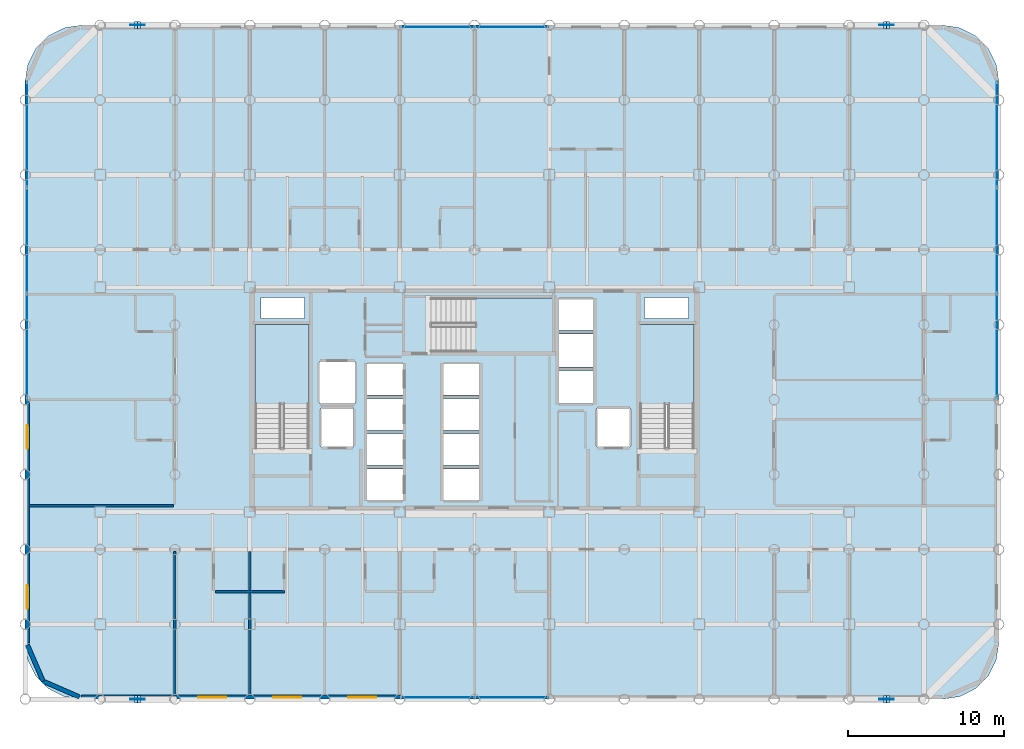
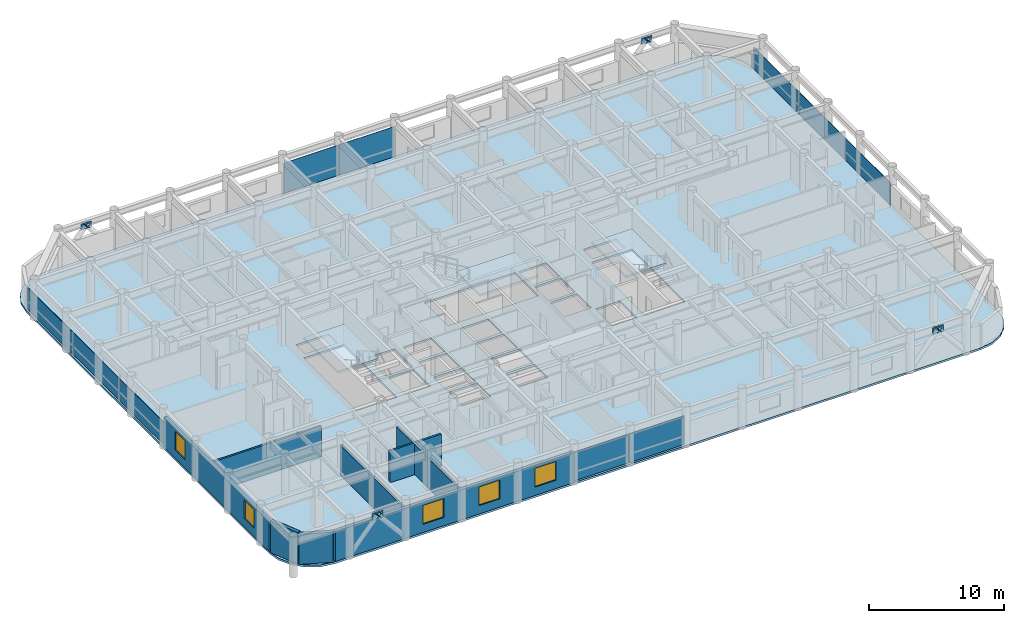
# One storey, part 16 of 22: 22 plates, 8 walls, 5 windows, 4 slabs, 5 openings, 7 elements without a shape of their own.
"""IFC4 building model written with IfcOpenShell, lengths in metres."""

import ifcopenshell
import ifcopenshell.guid

model = None  # the IFC model being written
_history = None  # IfcOwnerHistory: only IFC2X3 demands one
_inside = {}  # id of a spatial element -> (the spatial element, [elements in it])
_under = {}  # id of a project, library or spatial element -> (it, [spatial elements below it])
_declared = {}  # id of a project -> (the project, [libraries it declares])
_typed = {}  # id of a type object -> (the type object, [elements of that type])
_made_of = {}  # id of a material, layer set ... -> (it, [elements and type objects made of it])


def new_model(schema):
    """Start an empty IFC model of exactly this schema.

    Asked for "IFC4X3", IfcOpenShell would pick the latest addendum, in which some entities
    have other attributes; the version numbers below select the first issue.
    IFC2X3 requires an IfcOwnerHistory on every rooted entity: one is made here for all.
    """
    global model, _history
    if schema == "IFC4X3":
        model = ifcopenshell.file(schema_version=(4, 3, 0, 0))
    else:
        model = ifcopenshell.file(schema=schema)
    _inside.clear()
    _under.clear()
    _declared.clear()
    _typed.clear()
    _made_of.clear()
    _history = None
    if model.schema == "IFC2X3":
        org = make("IfcOrganization", Name="unknown")
        user = make(
            "IfcPersonAndOrganization",
            ThePerson=make("IfcPerson", FamilyName="unknown"),
            TheOrganization=org,
        )
        app = make(
            "IfcApplication",
            ApplicationDeveloper=org,
            Version="unknown",
            ApplicationFullName="unknown",
            ApplicationIdentifier="unknown",
        )
        _history = make(
            "IfcOwnerHistory",
            OwningUser=user,
            OwningApplication=app,
            ChangeAction="ADDED",
            CreationDate=0,
        )
    return model


def make(cls, **values):
    """One entity of the class cls with the attributes given. An attribute that is None is left unset."""
    return model.create_entity(
        cls, **{name: value for name, value in values.items() if value is not None}
    )


def rooted(cls, **values):
    """An entity with a GlobalId (a new one), such as an element, a storey or a relation."""
    return make(cls, GlobalId=ifcopenshell.guid.new(), OwnerHistory=_history, **values)


def si_unit(unit_type, name, prefix=None):
    """IfcSIUnit, for example si_unit("LENGTHUNIT", "METRE", prefix="MILLI")."""
    return make("IfcSIUnit", UnitType=unit_type, Prefix=prefix, Name=name)


def assignment(units):
    """IfcUnitAssignment: the units of a project."""
    return None if units is None else make("IfcUnitAssignment", Units=units)


def point(xyz):
    """IfcCartesianPoint."""
    return None if xyz is None else make("IfcCartesianPoint", Coordinates=xyz)


def direction(xyz):
    """IfcDirection."""
    return None if xyz is None else make("IfcDirection", DirectionRatios=xyz)


def frame(location, z_axis=None, x_axis=None):
    """IfcAxis2Placement3D, a coordinate frame: its origin and axes. An axis left out is left unset."""
    return make(
        "IfcAxis2Placement3D",
        Location=point(location),
        Axis=direction(z_axis),
        RefDirection=direction(x_axis),
    )


def frame_2d(location, x_axis=None):
    """IfcAxis2Placement2D, a coordinate frame in the plane: its origin and x axis."""
    return make(
        "IfcAxis2Placement2D", Location=point(location), RefDirection=direction(x_axis)
    )


def origin():
    """The frame at (0, 0, 0) with its axes left unset."""
    return frame((0.0, 0.0, 0.0))


def origin_2d():
    """The frame at (0, 0) in the plane with its x axis left unset."""
    return frame_2d((0.0, 0.0))


def place(relative_to, where):
    """IfcLocalPlacement: puts the frame where relative to a parent placement (None: the world)."""
    return make(
        "IfcLocalPlacement", PlacementRelTo=relative_to, RelativePlacement=where
    )


def context(
    kind, dimensions, precision=None, world=None, true_north=None, identifier=None
):
    """IfcGeometricRepresentationContext, for example the 3D "Model" context."""
    return make(
        "IfcGeometricRepresentationContext",
        ContextIdentifier=identifier,
        ContextType=kind,
        CoordinateSpaceDimension=dimensions,
        Precision=precision,
        WorldCoordinateSystem=world,
        TrueNorth=true_north,
    )


def subcontext(parent, identifier, kind, view, scale=None):
    """IfcGeometricRepresentationSubContext, for example "Body" below "Model"."""
    return make(
        "IfcGeometricRepresentationSubContext",
        ContextIdentifier=identifier,
        ContextType=kind,
        ParentContext=parent,
        TargetScale=scale,
        TargetView=view,
    )


def project(units=None, contexts=None):
    """IfcProject with its units and contexts."""
    return rooted(
        "IfcProject",
        Name="project",
        RepresentationContexts=contexts,
        UnitsInContext=assignment(units),
    )


def spatial(cls, under=None, at=None, **own):
    """A site, building, storey or space (cls), placed at a placement, below another one or the project."""
    s = rooted(cls, ObjectPlacement=at, **own)
    if under is not None:
        _under.setdefault(under.id(), (under, []))[1].append(s)
    return s


def polyline(points):
    """IfcPolyline through the points."""
    return make("IfcPolyline", Points=[point(p) for p in points])


def profile(cls, at=None, kind="AREA", **sizes):
    """A parametric profile (cls). Its sizes go by their IFC names, for example OverallWidth=200.0."""
    return make(cls, ProfileType=kind, Position=at, **sizes)


def rectangle(**sizes):
    """IfcRectangleProfileDef."""
    return profile("IfcRectangleProfileDef", **sizes)


def outline(outer, holes=None, kind="AREA"):
    """IfcArbitraryClosedProfileDef: a profile drawn as a closed curve; with holes, ...WithVoids."""
    if holes is None:
        return make("IfcArbitraryClosedProfileDef", ProfileType=kind, OuterCurve=outer)
    return make(
        "IfcArbitraryProfileDefWithVoids",
        ProfileType=kind,
        OuterCurve=outer,
        InnerCurves=holes,
    )


def extrude(swept, where, along, depth):
    """IfcExtrudedAreaSolid: the profile swept, set in the frame where, extruded along a direction by depth."""
    return make(
        "IfcExtrudedAreaSolid",
        SweptArea=swept,
        Position=where,
        ExtrudedDirection=direction(along),
        Depth=depth,
    )


def shape(context_of_items, identifier, shape_type, items):
    """IfcShapeRepresentation: the items that make up one representation, for example the "Body"."""
    return make(
        "IfcShapeRepresentation",
        ContextOfItems=context_of_items,
        RepresentationIdentifier=identifier,
        RepresentationType=shape_type,
        Items=items,
    )


def material(Name=None, Category=None):
    """IfcMaterial."""
    return make("IfcMaterial", Name=Name, Category=Category)


def layer(
    of_material, thickness, ventilated=None, Name=None, Category=None, Priority=None
):
    """IfcMaterialLayer: one layer of a wall or slab, of a material (None: an air gap)."""
    return make(
        "IfcMaterialLayer",
        Material=of_material,
        LayerThickness=thickness,
        IsVentilated=ventilated,
        Name=Name,
        Category=Category,
        Priority=Priority,
    )


def layer_set(layers, Name=None):
    """IfcMaterialLayerSet."""
    return make("IfcMaterialLayerSet", MaterialLayers=layers, LayerSetName=Name)


def made_of(thing, what):
    """Note that an element or type object is made of a material, layer set ...; save() writes the relation."""
    if what is not None:
        _made_of.setdefault(what.id(), (what, []))[1].append(thing)
    return thing


def type_object(cls, material=None, **own):
    """A type object (cls), such as IfcWallType, which elements share."""
    return made_of(rooted(cls, **own), material)


def element(
    cls,
    number,
    at=None,
    inside=None,
    cuts=None,
    type_object=None,
    material=None,
    context=None,
    identifier="Body",
    shape_type=None,
    held_by="IfcProductDefinitionShape",
    body=None,
    shapes=None,
    **own,
):
    """One element of the class cls, such as IfcWall. Its Tag is "e" and its number.

    at: its placement. inside: the storey or other place that contains it. cuts: it is an
    opening in that element (IfcRelVoidsElement). A single representation is given by context,
    identifier, shape_type and body (its items); several are given by shapes. held_by: the class
    of the entity that holds the representations. save() writes the other relations.
    """
    e = rooted(cls, Tag="e%d" % number, ObjectPlacement=at, **own)
    if body is not None:
        shapes = [shape(context, identifier, shape_type, body)]
    if shapes is not None:
        e.Representation = make(held_by, Representations=shapes)
    if inside is not None:
        _inside.setdefault(inside.id(), (inside, []))[1].append(e)
    if cuts is not None:
        rooted(
            "IfcRelVoidsElement", RelatingBuildingElement=cuts, RelatedOpeningElement=e
        )
    if type_object is not None:
        _typed.setdefault(type_object.id(), (type_object, []))[1].append(e)
    return made_of(e, material)


def fill(opening, filler):
    """IfcRelFillsElement: the door or window that sits in an opening."""
    return rooted(
        "IfcRelFillsElement",
        RelatingOpeningElement=opening,
        RelatedBuildingElement=filler,
    )


def aggregate(whole, parts):
    """IfcRelAggregates: a whole, such as a stair, and the parts it consists of."""
    return rooted("IfcRelAggregates", RelatingObject=whole, RelatedObjects=parts)


def save(model, path):
    """Write the relations noted so far, then the file.

    IfcRelAggregates (storeys below a building ...), IfcRelContainedInSpatialStructure (elements
    in a storey), IfcRelDefinesByType, IfcRelAssociatesMaterial and IfcRelDeclares: one each for
    every whole, place, type object, material and project.
    """
    for whole, parts in _under.values():
        aggregate(whole, parts)
    for where, things in _inside.values():
        rooted(
            "IfcRelContainedInSpatialStructure",
            RelatedElements=things,
            RelatingStructure=where,
        )
    for kind, things in _typed.values():
        rooted("IfcRelDefinesByType", RelatedObjects=things, RelatingType=kind)
    for what, things in _made_of.values():
        rooted("IfcRelAssociatesMaterial", RelatedObjects=things, RelatingMaterial=what)
    for by, libraries in _declared.values():
        rooted("IfcRelDeclares", RelatingContext=by, RelatedDefinitions=libraries)
    model.write(path)


model = new_model("IFC4")

# Units and contexts
model_context = context("Model", 3, precision=1e-05, world=origin(), true_north=direction((0.0, 1.0)))
body_context = subcontext(model_context, "Body", "Model", "MODEL_VIEW")
ifc_project = project(units=[si_unit("LENGTHUNIT", "METRE"), si_unit("AREAUNIT", "SQUARE_METRE"), si_unit("VOLUMEUNIT", "CUBIC_METRE"), si_unit("PLANEANGLEUNIT", "RADIAN"), si_unit("MASSUNIT", "GRAM", prefix="KILO")], contexts=[model_context])

# Site, building, storey
site_placement = place(None, origin())
site = spatial("IfcSite", under=ifc_project, at=site_placement, CompositionType="ELEMENT")
building_placement = place(site_placement, origin())
building = spatial("IfcBuilding", under=site, at=building_placement, Name="Kallvorn Hotel Tower", CompositionType="ELEMENT")
storey_placement = place(building_placement, frame((0.0, 0.0, 106.300048828125)))
storey = spatial("IfcBuildingStorey", under=building, at=storey_placement, Name="L25", CompositionType="ELEMENT", Elevation=106.300048828125)

# Curtain wall, plates
ifc_material_1 = material(Name="Thermally broken black-anodised aluminium AA 6063-T6", Category="aluminium")
ifc_layer_1 = layer(ifc_material_1, 0.199951171875)
ifc_layer_set_1 = layer_set([ifc_layer_1], Name="CW_SYS_3_HOTEL_LOW")
curtain_wall_type = type_object("IfcCurtainWallType", Name="CW_SYS_3_HOTEL_LOW", PredefinedType="USERDEFINED", material=ifc_layer_set_1)
curtain_wall_1_placement = place(storey_placement, origin())
curtain_wall_1 = element("IfcCurtainWall", 1, at=curtain_wall_1_placement, inside=storey, type_object=curtain_wall_type, Name="L25 Dark-Glass Curtain Wall CW-L25-SC", ObjectType="UNITISED CURTAIN WALL", PredefinedType="USERDEFINED")
ifc_material_2 = material(Name="Double-glazed low-e solar-control dark glass", Category="glass")
ifc_layer_2 = layer(ifc_material_2, 0.035888671875)
ifc_layer_set_2 = layer_set([ifc_layer_2], Name="CW_SYS_3_HOTEL_LOW_PANEL")
plate_type_1 = type_object("IfcPlateType", Name="CW_SYS_3_HOTEL_LOW_PANEL", PredefinedType="CURTAIN_PANEL", material=ifc_layer_set_2)
plate_1_placement = place(storey_placement, frame((-2.375, -19.080078125, 0.059814453125), z_axis=(0.0, 0.0, 1.0), x_axis=(1.0, 0.0, 0.0)))
plate_1 = element("IfcPlate", 2, at=plate_1_placement, type_object=plate_type_1, Name="CW-L25-SC Vision Glass Panel 00", PredefinedType="CURTAIN_PANEL", context=body_context, shape_type="SweptSolid", body=[
    extrude(rectangle(XDim=4.68994140625, YDim=0.035888671875, at=origin_2d()), origin(), (0.0, 0.0, 1.0), 2.60009765625),
])
plate_2_placement = place(storey_placement, frame((2.375, -19.080078125, 0.059814453125), z_axis=(0.0, 0.0, 1.0), x_axis=(1.0, 0.0, 0.0)))
plate_2 = element("IfcPlate", 3, at=plate_2_placement, type_object=plate_type_1, Name="CW-L25-SC Vision Glass Panel 01", PredefinedType="CURTAIN_PANEL", context=body_context, shape_type="SweptSolid", body=[
    extrude(rectangle(XDim=4.68994140625, YDim=0.035888671875, at=origin_2d()), origin(), (0.0, 0.0, 1.0), 2.60009765625),
])
aggregate(curtain_wall_1, [plate_1, plate_2])

curtain_wall_2_placement = place(storey_placement, origin())
curtain_wall_2 = element("IfcCurtainWall", 4, at=curtain_wall_2_placement, inside=storey, type_object=curtain_wall_type, Name="L25 Dark-Glass Curtain Wall CW-L25-NC", ObjectType="UNITISED CURTAIN WALL", PredefinedType="USERDEFINED")
plate_3_placement = place(storey_placement, frame((-2.375, 23.8798828125, 0.06005859375), z_axis=(0.0, 0.0, 1.0), x_axis=(1.0, 0.0, 0.0)))
plate_3 = element("IfcPlate", 5, at=plate_3_placement, type_object=plate_type_1, Name="CW-L25-NC Vision Glass Panel 00", PredefinedType="CURTAIN_PANEL", context=body_context, shape_type="SweptSolid", body=[
    extrude(rectangle(XDim=4.68994140625, YDim=0.035888671875, at=origin_2d()), origin(), (0.0, 0.0, 1.0), 2.75),
])
plate_4_placement = place(storey_placement, frame((2.375, 23.8798828125, 0.06005859375), z_axis=(0.0, 0.0, 1.0), x_axis=(1.0, 0.0, 0.0)))
plate_4 = element("IfcPlate", 6, at=plate_4_placement, type_object=plate_type_1, Name="CW-L25-NC Vision Glass Panel 01", PredefinedType="CURTAIN_PANEL", context=body_context, shape_type="SweptSolid", body=[
    extrude(rectangle(XDim=4.68994140625, YDim=0.035888671875, at=origin_2d()), origin(), (0.0, 0.0, 1.0), 2.75),
])
aggregate(curtain_wall_2, [plate_3, plate_4])

curtain_wall_3_placement = place(storey_placement, origin())
curtain_wall_3 = element("IfcCurtainWall", 7, at=curtain_wall_3_placement, inside=storey, type_object=curtain_wall_type, Name="L25 Dark-Glass Curtain Wall CW-L25-WN", ObjectType="UNITISED CURTAIN WALL", PredefinedType="USERDEFINED")
plate_5_placement = place(storey_placement, frame((-28.679931640625, 3.41650390625, 0.06005859375), z_axis=(0.0, 0.0, 1.0), x_axis=(0.0, 1.0, 0.0)))
plate_5 = element("IfcPlate", 8, at=plate_5_placement, type_object=plate_type_1, Name="CW-L25-WN Vision Glass Panel 00", PredefinedType="CURTAIN_PANEL", context=body_context, shape_type="SweptSolid", body=[
    extrude(rectangle(XDim=6.7333984375, YDim=0.035888671875, at=origin_2d()), origin(), (0.0, 0.0, 1.0), 2.0),
])
plate_6_placement = place(storey_placement, frame((-28.679931640625, 10.2099609375, 0.06005859375), z_axis=(0.0, 0.0, 1.0), x_axis=(0.0, 1.0, 0.0)))
plate_6 = element("IfcPlate", 9, at=plate_6_placement, type_object=plate_type_1, Name="CW-L25-WN Vision Glass Panel 01", PredefinedType="CURTAIN_PANEL", context=body_context, shape_type="SweptSolid", body=[
    extrude(rectangle(XDim=6.7333984375, YDim=0.035888671875, at=origin_2d()), origin(), (0.0, 0.0, 1.0), 2.0),
])
plate_7_placement = place(storey_placement, frame((-28.679931640625, 17.00341796875, 0.06005859375), z_axis=(0.0, 0.0, 1.0), x_axis=(0.0, 1.0, 0.0)))
plate_7 = element("IfcPlate", 10, at=plate_7_placement, type_object=plate_type_1, Name="CW-L25-WN Vision Glass Panel 02", PredefinedType="CURTAIN_PANEL", context=body_context, shape_type="SweptSolid", body=[
    extrude(rectangle(XDim=6.7333984375, YDim=0.035888671875, at=origin_2d()), origin(), (0.0, 0.0, 1.0), 2.0),
])
aggregate(curtain_wall_3, [plate_5, plate_6, plate_7])

curtain_wall_4_placement = place(storey_placement, origin())
curtain_wall_4 = element("IfcCurtainWall", 11, at=curtain_wall_4_placement, inside=storey, type_object=curtain_wall_type, Name="L25 Dark-Glass Curtain Wall CW-L25-EN", ObjectType="UNITISED CURTAIN WALL", PredefinedType="USERDEFINED")
plate_8_placement = place(storey_placement, frame((33.47998046875, 3.41650390625, 0.06005859375), z_axis=(0.0, 0.0, 1.0), x_axis=(0.0, 1.0, 0.0)))
plate_8 = element("IfcPlate", 12, at=plate_8_placement, type_object=plate_type_1, Name="CW-L25-EN Vision Glass Panel 00", PredefinedType="CURTAIN_PANEL", context=body_context, shape_type="SweptSolid", body=[
    extrude(rectangle(XDim=6.7333984375, YDim=0.035888671875, at=origin_2d()), origin(), (0.0, 0.0, 1.0), 2.0),
])
plate_9_placement = place(storey_placement, frame((33.47998046875, 10.2099609375, 0.06005859375), z_axis=(0.0, 0.0, 1.0), x_axis=(0.0, 1.0, 0.0)))
plate_9 = element("IfcPlate", 13, at=plate_9_placement, type_object=plate_type_1, Name="CW-L25-EN Vision Glass Panel 01", PredefinedType="CURTAIN_PANEL", context=body_context, shape_type="SweptSolid", body=[
    extrude(rectangle(XDim=6.7333984375, YDim=0.035888671875, at=origin_2d()), origin(), (0.0, 0.0, 1.0), 2.0),
])
plate_10_placement = place(storey_placement, frame((33.47998046875, 17.00341796875, 0.06005859375), z_axis=(0.0, 0.0, 1.0), x_axis=(0.0, 1.0, 0.0)))
plate_10 = element("IfcPlate", 14, at=plate_10_placement, type_object=plate_type_1, Name="CW-L25-EN Vision Glass Panel 02", PredefinedType="CURTAIN_PANEL", context=body_context, shape_type="SweptSolid", body=[
    extrude(rectangle(XDim=6.7333984375, YDim=0.035888671875, at=origin_2d()), origin(), (0.0, 0.0, 1.0), 2.0),
])
aggregate(curtain_wall_4, [plate_8, plate_9, plate_10])

# Plates
ifc_material_3 = material(Name="Structural steel S355JR", Category="steel")
ifc_layer_3 = layer(ifc_material_3, 0.030029296875)
ifc_layer_set_3 = layer_set([ifc_layer_3], Name="PLT_CAP_30")
plate_type_2 = type_object("IfcPlateType", Name="PLT_CAP_30", PredefinedType="SHEET", material=ifc_layer_set_3)
for number, where, z_axis, x_axis, name in (
    (15, (-21.407958984375, -19.443115234375, 2.8603515625), (0.646482084167, 0.0, 0.76292916765), (0.0, 1.0, 0.0), "EXO-L25-S1A End Cap Plate B"),
    (16, (-21.7919921875, -18.956787109375, 2.8603515625), (-0.646482084167, 0.0, 0.76292916765), (0.0, -1.0, 0.0), "EXO-L25-S1B End Cap Plate B"),
    (17, (26.592041015625, -19.443115234375, 2.8603515625), (0.646482084167, 0.0, 0.76292916765), (0.0, 1.0, 0.0), "EXO-L25-S2A End Cap Plate B"),
    (18, (26.2080078125, -18.956787109375, 2.8603515625), (-0.646482084167, 0.0, 0.76292916765), (0.0, -1.0, 0.0), "EXO-L25-S2B End Cap Plate B"),
    (19, (-21.407958984375, 23.7568359375, 2.8603515625), (0.646482084167, 0.0, 0.76292916765), (0.0, 1.0, 0.0), "EXO-L25-N1A End Cap Plate B"),
    (20, (-21.7919921875, 24.2431640625, 2.8603515625), (-0.646482084167, 0.0, 0.76292916765), (0.0, -1.0, 0.0), "EXO-L25-N1B End Cap Plate B"),
    (21, (26.592041015625, 23.7568359375, 2.8603515625), (0.646482084167, 0.0, 0.76292916765), (0.0, 1.0, 0.0), "EXO-L25-N2A End Cap Plate B"),
    (22, (26.2080078125, 24.2431640625, 2.8603515625), (-0.646482084167, 0.0, 0.76292916765), (0.0, -1.0, 0.0), "EXO-L25-N2B End Cap Plate B"),
):
    element("IfcPlate", number, at=place(storey_placement, frame(where, z_axis=z_axis, x_axis=x_axis)), inside=storey, type_object=plate_type_2, Name=name, PredefinedType="SHEET", context=body_context, shape_type="SweptSolid", body=[
        extrude(outline(polyline([(0.0, 0.0), (0.486328125, 0.0), (0.486328125, 0.48640655743043604), (0.0, 0.48640655743043604), (0.0, 0.0)])), origin(), (0.0, 0.0, -1.0), 0.030029296875),
    ])
ifc_material_4 = material(Name="Structural steel S355JR", Category="steel")
ifc_layer_4 = layer(ifc_material_4, 0.044921875)
ifc_layer_set_4 = layer_set([ifc_layer_4], Name="PLT_GUSSET_45")
plate_type_3 = type_object("IfcPlateType", Name="PLT_GUSSET_45", PredefinedType="USERDEFINED", material=ifc_layer_set_4)
for number, where, z_axis, x_axis, name in (
    (23, (-21.60009765625, -19.199951171875, 2.68994140625), (0.0, 0.0, 1.0), (1.0, 0.0, 0.0), "L25 Exoskeleton Node Gusset S1"),
    (24, (26.39990234375, -19.199951171875, 2.68994140625), (0.0, 0.0, 1.0), (1.0, 0.0, 0.0), "L25 Exoskeleton Node Gusset S2"),
    (25, (-21.60009765625, 24.0, 2.68994140625), (0.0, 0.0, 1.0), (1.0, 0.0, 0.0), "L25 Exoskeleton Node Gusset N1"),
    (26, (26.39990234375, 24.0, 2.68994140625), (0.0, 0.0, 1.0), (1.0, 0.0, 0.0), "L25 Exoskeleton Node Gusset N2"),
):
    element("IfcPlate", number, at=place(storey_placement, frame(where, z_axis=z_axis, x_axis=x_axis)), inside=storey, type_object=plate_type_3, Name=name, ObjectType="GUSSET PLATE", PredefinedType="USERDEFINED", context=body_context, shape_type="SweptSolid", body=[
        extrude(rectangle(XDim=0.89990234375, YDim=0.044921875, at=origin_2d()), origin(), (0.0, 0.0, 1.0), 0.56005859375),
    ])

# Stair, slab
ifc_material_5 = material(Name="Precast concrete C40/50", Category="concrete")
stair_type = type_object("IfcStairType", Name="STR_CORE_DOGLEG", PredefinedType="HALF_TURN_STAIR", material=ifc_material_5)
stair_1_placement = place(storey_placement, origin())
stair_1 = element("IfcStair", 27, at=stair_1_placement, inside=storey, type_object=stair_type, Name="L25 Exit stair ST1", PredefinedType="HALF_TURN_STAIR")
ifc_material_6 = material(Name="Precast concrete C40/50", Category="concrete")
ifc_layer_5 = layer(ifc_material_6, 0.179931640625)
ifc_layer_set_5 = layer_set([ifc_layer_5], Name="SLB_LANDING_180")
slab_type_1 = type_object("IfcSlabType", Name="SLB_LANDING_180", PredefinedType="LANDING", material=ifc_layer_set_5)
slab_1_placement = place(storey_placement, frame((0.0, 0.0, 1.64990234375)))
slab_1 = element("IfcSlab", 28, at=slab_1_placement, type_object=slab_type_1, Name="ST1 landing 1", PredefinedType="LANDING", context=body_context, shape_type="SweptSolid", body=[
    extrude(outline(polyline([(-10.60009765625, -0.31005859375), (-10.60009765625, 4.800048828125), (-14.06005859375, 4.800048828125), (-14.06005859375, -0.31005859375), (-10.60009765625, -0.31005859375)])), origin(), (0.0, 0.0, 1.0), 0.199951171875),
])
aggregate(stair_1, [slab_1])

stair_2_placement = place(storey_placement, origin())
stair_2 = element("IfcStair", 29, at=stair_2_placement, inside=storey, type_object=stair_type, Name="L25 Exit stair ST2", PredefinedType="HALF_TURN_STAIR")
slab_2_placement = place(storey_placement, frame((0.0, 0.0, 1.64990234375)))
slab_2 = element("IfcSlab", 30, at=slab_2_placement, type_object=slab_type_1, Name="ST2 landing 1", PredefinedType="LANDING", context=body_context, shape_type="SweptSolid", body=[
    extrude(outline(polyline([(14.06005859375, -0.31005859375), (14.06005859375, 4.800048828125), (10.60009765625, 4.800048828125), (10.60009765625, -0.31005859375), (14.06005859375, -0.31005859375)])), origin(), (0.0, 0.0, 1.0), 0.199951171875),
])
aggregate(stair_2, [slab_2])

stair_3_placement = place(storey_placement, origin())
stair_3 = element("IfcStair", 31, at=stair_3_placement, inside=storey, type_object=stair_type, Name="L25 Exit stair ST3", PredefinedType="HALF_TURN_STAIR")
slab_3_placement = place(storey_placement, frame((0.0, 0.0, 1.64990234375)))
slab_3 = element("IfcSlab", 32, at=slab_3_placement, type_object=slab_type_1, Name="ST3 landing 1", PredefinedType="LANDING", context=body_context, shape_type="SweptSolid", body=[
    extrude(outline(polyline([(0.0400390625, 3.050048828125), (5.050048828125, 3.050048828125), (5.050048828125, 6.510009765625), (0.0400390625, 6.510009765625), (0.0400390625, 3.050048828125)])), origin(), (0.0, 0.0, 1.0), 0.199951171875),
])
aggregate(stair_3, [slab_3])

# Slab
ifc_material_7 = material(Name="Concrete C40/50", Category="concrete")
ifc_layer_6 = layer(ifc_material_7, 0.179931640625)
ifc_layer_set_6 = layer_set([ifc_layer_6], Name="SLB_TOWER_180")
slab_type_2 = type_object("IfcSlabType", Name="SLB_TOWER_180", PredefinedType="FLOOR", material=ifc_layer_set_6)
slab_4_placement = place(storey_placement, frame((0.0, 0.0, -0.179931640625)))
element("IfcSlab", 33, at=slab_4_placement, inside=storey, type_object=slab_type_2, Name="L25 Structural Floor Slab", PredefinedType="FLOOR", context=body_context, shape_type="SweptSolid", body=[
    extrude(outline(polyline([(30.0, -19.199951171875), (31.112548828125, -19.023681640625), (32.115966796875, -18.512451171875), (32.91259765625, -17.716064453125), (33.423828125, -16.71240234375), (33.60009765625, -15.60009765625), (33.60009765625, 20.39990234375), (33.423828125, 21.512451171875), (32.91259765625, 22.51611328125), (32.115966796875, 23.3125), (31.112548828125, 23.82373046875), (30.0, 24.0), (-25.199951171875, 24.0), (-26.3125, 23.82373046875), (-27.31591796875, 23.3125), (-28.112548828125, 22.51611328125), (-28.623779296875, 21.512451171875), (-28.800048828125, 20.39990234375), (-28.800048828125, -15.60009765625), (-28.623779296875, -16.71240234375), (-28.112548828125, -17.716064453125), (-27.31591796875, -18.512451171875), (-26.3125, -19.023681640625), (-25.199951171875, -19.199951171875), (30.0, -19.199951171875)]), holes=[polyline([(-10.60009765625, -3.070068359375), (-10.60009765625, 4.800048828125), (-14.06005859375, 4.800048828125), (-14.06005859375, -3.070068359375), (-10.60009765625, -3.070068359375)]), polyline([(14.06005859375, -3.070068359375), (14.06005859375, 4.800048828125), (10.60009765625, 4.800048828125), (10.60009765625, -3.070068359375), (14.06005859375, -3.070068359375)]), polyline([(-2.719970703125, 3.050048828125), (5.050048828125, 3.050048828125), (5.050048828125, 6.510009765625), (-2.719970703125, 6.510009765625), (-2.719970703125, 3.050048828125)]), polyline([(-6.949951171875, -6.449951171875), (-4.550048828125, -6.449951171875), (-4.550048828125, -4.449951171875), (-6.949951171875, -4.449951171875), (-6.949951171875, -6.449951171875)]), polyline([(-6.949951171875, -4.199951171875), (-4.550048828125, -4.199951171875), (-4.550048828125, -2.199951171875), (-6.949951171875, -2.199951171875), (-6.949951171875, -4.199951171875)]), polyline([(-6.949951171875, -1.949951171875), (-4.550048828125, -1.949951171875), (-4.550048828125, 0.050048828125), (-6.949951171875, 0.050048828125), (-6.949951171875, -1.949951171875)]), polyline([(-6.949951171875, 0.300048828125), (-4.550048828125, 0.300048828125), (-4.550048828125, 2.300048828125), (-6.949951171875, 2.300048828125), (-6.949951171875, 0.300048828125)]), polyline([(-2.050048828125, -6.449951171875), (0.35009765625, -6.449951171875), (0.35009765625, -4.449951171875), (-2.050048828125, -4.449951171875), (-2.050048828125, -6.449951171875)]), polyline([(-2.050048828125, -4.199951171875), (0.35009765625, -4.199951171875), (0.35009765625, -2.199951171875), (-2.050048828125, -2.199951171875), (-2.050048828125, -4.199951171875)]), polyline([(-2.050048828125, -1.949951171875), (0.35009765625, -1.949951171875), (0.35009765625, 0.050048828125), (-2.050048828125, 0.050048828125), (-2.050048828125, -1.949951171875)]), polyline([(-2.050048828125, 0.300048828125), (0.35009765625, 0.300048828125), (0.35009765625, 2.300048828125), (-2.050048828125, 2.300048828125), (-2.050048828125, 0.300048828125)]), polyline([(5.35009765625, -0.25), (7.64990234375, -0.25), (7.64990234375, 1.85009765625), (5.35009765625, 1.85009765625), (5.35009765625, -0.25)]), polyline([(5.35009765625, 2.10009765625), (7.64990234375, 2.10009765625), (7.64990234375, 4.199951171875), (5.35009765625, 4.199951171875), (5.35009765625, 2.10009765625)]), polyline([(5.35009765625, 4.449951171875), (7.64990234375, 4.449951171875), (7.64990234375, 6.449951171875), (5.35009765625, 6.449951171875), (5.35009765625, 4.449951171875)]), polyline([(-9.85009765625, -3.050048828125), (-7.75, -3.050048828125), (-7.75, -0.550048828125), (-9.85009765625, -0.550048828125), (-9.85009765625, -3.050048828125)]), polyline([(7.85009765625, -3.050048828125), (9.949951171875, -3.050048828125), (9.949951171875, -0.550048828125), (7.85009765625, -0.550048828125), (7.85009765625, -3.050048828125)]), polyline([(-9.949951171875, -0.25), (-7.64990234375, -0.25), (-7.64990234375, 2.449951171875), (-9.949951171875, 2.449951171875), (-9.949951171875, -0.25)]), polyline([(-13.699951171875, 5.199951171875), (-10.89990234375, 5.199951171875), (-10.89990234375, 6.550048828125), (-13.699951171875, 6.550048828125), (-13.699951171875, 5.199951171875)]), polyline([(10.89990234375, 5.199951171875), (13.699951171875, 5.199951171875), (13.699951171875, 6.550048828125), (10.89990234375, 6.550048828125), (10.89990234375, 5.199951171875)])]), origin(), (0.0, 0.0, 1.0), 0.179931640625),
])

# Walls
ifc_material_8 = material(Name="Fire-rated double-layer acoustic gypsum drywall EI 60")
ifc_layer_7 = layer(ifc_material_8, 0.159912109375)
ifc_layer_set_7 = layer_set([ifc_layer_7], Name="WL_DEMISE_160")
wall_type_1 = type_object("IfcWallType", Name="WL_DEMISE_160", PredefinedType="PARTITIONING", material=ifc_layer_set_7)
wall_1_placement = place(storey_placement, frame((-16.610107421875, -12.320068359375, 0.0), z_axis=(0.0, 0.0, 1.0), x_axis=(1.0, 0.0, 0.0)))
element("IfcWall", 34, at=wall_1_placement, inside=storey, type_object=wall_type_1, Name="L25 Suite 2505 Superior Twin Room Partition", PredefinedType="PARTITIONING", context=body_context, shape_type="SweptSolid", body=[
    extrude(rectangle(XDim=4.420166015625, YDim=0.159912109375, at=frame_2d((2.2099609375, 0.0))), origin(), (0.0, 0.0, 1.0), 2.869873046875),
])
wall_2_placement = place(storey_placement, frame((-28.510009765625, -6.800048828125, 0.0), z_axis=(0.0, 0.0, 1.0), x_axis=(1.0, 0.0, 0.0)))
element("IfcWall", 35, at=wall_2_placement, inside=storey, type_object=wall_type_1, Name="L25 Suite 2501 W Loggia King Room Partition", PredefinedType="PARTITIONING", context=body_context, shape_type="SweptSolid", body=[
    extrude(rectangle(XDim=9.22998046875, YDim=0.159912109375, at=frame_2d((4.614990234375, 0.0))), origin(), (0.0, 0.0, 1.0), 2.719970703125),
])
for number, where, z_axis, x_axis, name in (
    (36, (-19.199951171875, -18.909912109375, 0.0), (0.0, 0.0, 1.0), (0.0, 1.0, 0.0), "L25 Suite 2505 Superior Twin Room Partition"),
    (37, (-14.39990234375, -18.909912109375, 0.0), (0.0, 0.0, 1.0), (0.0, 1.0, 0.0), "L25 Suite 2505 Superior Twin Room Partition"),
):
    element("IfcWall", number, at=place(storey_placement, frame(where, z_axis=z_axis, x_axis=x_axis)), inside=storey, type_object=wall_type_1, Name=name, PredefinedType="PARTITIONING", context=body_context, shape_type="SweptSolid", body=[
        extrude(rectangle(XDim=9.18994140625, YDim=0.159912109375, at=frame_2d((4.594970703125, 0.0))), origin(), (0.0, 0.0, 1.0), 2.719970703125),
    ])
ifc_material_9 = material(Name="Precast basalt-clad insulated concrete wall C40/50", Category="masonry")
ifc_layer_8 = layer(ifc_material_9, 0.280029296875)
ifc_layer_set_8 = layer_set([ifc_layer_8], Name="WL_EXT_LOGGIA_280")
wall_type_2 = type_object("IfcWallType", Name="WL_EXT_LOGGIA_280", PredefinedType="SOLIDWALL", material=ifc_layer_set_8)
wall_3_placement = place(storey_placement, frame((-28.657958984375, -15.720703125, 0.0), z_axis=(0.0, 0.0, 1.0), x_axis=(0.398792985289, -0.917040977756, 0.0)))
element("IfcWall", 38, at=wall_3_placement, inside=storey, type_object=wall_type_2, Name="L25 Rounded Corner Exterior Wall SW1", PredefinedType="SOLIDWALL", context=body_context, shape_type="SweptSolid", body=[
    extrude(rectangle(XDim=2.536376953125, YDim=0.280029296875, at=frame_2d((1.26806640625, 0.0))), origin(), (0.0, 0.0, 1.0), 2.869873046875),
])
wall_4_placement = place(storey_placement, frame((-27.646484375, -18.046630859375, 0.0), z_axis=(0.0, 0.0, 1.0), x_axis=(0.917060872934, -0.398747232384, 0.0)))
element("IfcWall", 39, at=wall_4_placement, inside=storey, type_object=wall_type_2, Name="L25 Rounded Corner Exterior Wall SW2", PredefinedType="SOLIDWALL", context=body_context, shape_type="SweptSolid", body=[
    extrude(rectangle(XDim=2.5361328125, YDim=0.280029296875, at=frame_2d((1.26806640625, 0.0))), origin(), (0.0, 0.0, 1.0), 2.719970703125),
])

# Wall, openings, windows
wall_5_placement = place(storey_placement, frame((-25.199951171875, -19.06005859375, 0.0), z_axis=(0.0, 0.0, 1.0), x_axis=(1.0, 0.0, 0.0)))
wall_5 = element("IfcWall", 40, at=wall_5_placement, inside=storey, type_object=wall_type_2, Name="L25 Exterior Envelope Wall EW-L25-SW", PredefinedType="SOLIDWALL", context=body_context, shape_type="SweptSolid", body=[
    extrude(rectangle(XDim=20.449951171875, YDim=0.280029296875, at=frame_2d((10.22509765625, 0.0))), origin(), (0.0, 0.0, 1.0), 2.719970703125),
])
opening_1_placement = place(wall_5_placement, frame((7.5, 0.0, 0.75)))
opening_1 = element("IfcOpeningElement", 41, at=opening_1_placement, cuts=wall_5, Name="Opening W04", PredefinedType="OPENING", context=body_context, shape_type="SweptSolid", body=[
    extrude(rectangle(XDim=1.800048828125, YDim=1.699951171875, at=frame_2d((0.89990234375, 0.85009765625))), frame((0.0, 0.155029296875, 0.0), z_axis=(0.0, -1.0, 0.0), x_axis=(1.0, 0.0, 0.0)), (0.0, 0.0, 1.0), 0.31005859375),
])
opening_2_placement = place(wall_5_placement, frame((12.300048828125, 0.0, 0.75)))
opening_2 = element("IfcOpeningElement", 42, at=opening_2_placement, cuts=wall_5, Name="Opening W04", PredefinedType="OPENING", context=body_context, shape_type="SweptSolid", body=[
    extrude(rectangle(XDim=1.800048828125, YDim=1.699951171875, at=frame_2d((0.89990234375, 0.85009765625))), frame((0.0, 0.155029296875, 0.0), z_axis=(0.0, -1.0, 0.0), x_axis=(1.0, 0.0, 0.0)), (0.0, 0.0, 1.0), 0.31005859375),
])
opening_3_placement = place(wall_5_placement, frame((17.10009765625, 0.0, 0.75)))
opening_3 = element("IfcOpeningElement", 43, at=opening_3_placement, cuts=wall_5, Name="Opening W04", PredefinedType="OPENING", context=body_context, shape_type="SweptSolid", body=[
    extrude(rectangle(XDim=1.800048828125, YDim=1.699951171875, at=frame_2d((0.89990234375, 0.85009765625))), frame((0.0, 0.155029296875, 0.0), z_axis=(0.0, -1.0, 0.0), x_axis=(1.0, 0.0, 0.0)), (0.0, 0.0, 1.0), 0.31005859375),
])
ifc_material_10 = material(Name="Double-glazed low-e solar-control dark glass", Category="glass")
window_type_1 = type_object("IfcWindowType", Name="WN_HTL_1800x1700", PartitioningType="SINGLE_PANEL", PredefinedType="WINDOW", material=ifc_material_10)
window_1_placement = place(opening_1_placement, origin())
window_1 = element("IfcWindow", 44, at=window_1_placement, inside=storey, type_object=window_type_1, Name="L25 Guestroom Exterior Window 05", OverallHeight=1.699951171875, OverallWidth=1.800048828125, PartitioningType="SINGLE_PANEL", PredefinedType="WINDOW", context=body_context, shape_type="SweptSolid", body=[
    extrude(rectangle(XDim=1.800048828125, YDim=1.699951171875, at=frame_2d((0.89990234375, 0.85009765625))), frame((0.0, 0.030029296875, 0.0), z_axis=(0.0, -1.0, 0.0), x_axis=(1.0, 0.0, 0.0)), (0.0, 0.0, 1.0), 0.06005859375),
])
fill(opening_1, window_1)
window_2_placement = place(opening_2_placement, origin())
window_2 = element("IfcWindow", 45, at=window_2_placement, inside=storey, type_object=window_type_1, Name="L25 Guestroom Exterior Window 06", OverallHeight=1.699951171875, OverallWidth=1.800048828125, PartitioningType="SINGLE_PANEL", PredefinedType="WINDOW", context=body_context, shape_type="SweptSolid", body=[
    extrude(rectangle(XDim=1.800048828125, YDim=1.699951171875, at=frame_2d((0.89990234375, 0.85009765625))), frame((0.0, 0.030029296875, 0.0), z_axis=(0.0, -1.0, 0.0), x_axis=(1.0, 0.0, 0.0)), (0.0, 0.0, 1.0), 0.06005859375),
])
fill(opening_2, window_2)
window_3_placement = place(opening_3_placement, origin())
window_3 = element("IfcWindow", 46, at=window_3_placement, inside=storey, type_object=window_type_1, Name="L25 Guestroom Exterior Window 07", OverallHeight=1.699951171875, OverallWidth=1.800048828125, PartitioningType="SINGLE_PANEL", PredefinedType="WINDOW", context=body_context, shape_type="SweptSolid", body=[
    extrude(rectangle(XDim=1.800048828125, YDim=1.699951171875, at=frame_2d((0.89990234375, 0.85009765625))), frame((0.0, 0.030029296875, 0.0), z_axis=(0.0, -1.0, 0.0), x_axis=(1.0, 0.0, 0.0)), (0.0, 0.0, 1.0), 0.06005859375),
])
fill(opening_3, window_3)

wall_6_placement = place(storey_placement, frame((-28.659912109375, -15.60009765625, 0.0), z_axis=(0.0, 0.0, 1.0), x_axis=(0.0, 1.0, 0.0)))
wall_6 = element("IfcWall", 47, at=wall_6_placement, inside=storey, type_object=wall_type_2, Name="L25 Exterior Envelope Wall EW-L25-WS", PredefinedType="SOLIDWALL", context=body_context, shape_type="SweptSolid", body=[
    extrude(rectangle(XDim=15.580078125, YDim=0.280029296875, at=frame_2d((7.7900390625, 0.0))), origin(), (0.0, 0.0, 1.0), 2.719970703125),
])
opening_4_placement = place(wall_6_placement, frame((2.18994140625, 0.0, 0.75)))
opening_4 = element("IfcOpeningElement", 48, at=opening_4_placement, cuts=wall_6, Name="Opening W05", PredefinedType="OPENING", context=body_context, shape_type="SweptSolid", body=[
    extrude(rectangle(XDim=1.5, YDim=1.699951171875, at=frame_2d((0.75, 0.85009765625))), frame((0.0, 0.155029296875, 0.0), z_axis=(0.0, -1.0, 0.0), x_axis=(1.0, 0.0, 0.0)), (0.0, 0.0, 1.0), 0.31005859375),
])
opening_5_placement = place(wall_6_placement, frame((12.449951171875, 0.0, 0.75)))
opening_5 = element("IfcOpeningElement", 49, at=opening_5_placement, cuts=wall_6, Name="Opening W05", PredefinedType="OPENING", context=body_context, shape_type="SweptSolid", body=[
    extrude(rectangle(XDim=1.5, YDim=1.699951171875, at=frame_2d((0.75, 0.85009765625))), frame((0.0, 0.155029296875, 0.0), z_axis=(0.0, -1.0, 0.0), x_axis=(1.0, 0.0, 0.0)), (0.0, 0.0, 1.0), 0.31005859375),
])
ifc_material_11 = material(Name="Double-glazed low-e solar-control dark glass", Category="glass")
window_type_2 = type_object("IfcWindowType", Name="WN_HTL_1500x1700", PartitioningType="SINGLE_PANEL", PredefinedType="WINDOW", material=ifc_material_11)
window_4_placement = place(opening_4_placement, origin())
window_4 = element("IfcWindow", 50, at=window_4_placement, inside=storey, type_object=window_type_2, Name="L25 Flank Wing Window 01", OverallHeight=1.699951171875, OverallWidth=1.5, PartitioningType="SINGLE_PANEL", PredefinedType="WINDOW", context=body_context, shape_type="SweptSolid", body=[
    extrude(rectangle(XDim=1.5, YDim=1.699951171875, at=frame_2d((0.75, 0.85009765625))), frame((0.0, 0.030029296875, 0.0), z_axis=(0.0, -1.0, 0.0), x_axis=(1.0, 0.0, 0.0)), (0.0, 0.0, 1.0), 0.06005859375),
])
fill(opening_4, window_4)
window_5_placement = place(opening_5_placement, origin())
window_5 = element("IfcWindow", 51, at=window_5_placement, inside=storey, type_object=window_type_2, Name="L25 Flank Wing Window 03", OverallHeight=1.699951171875, OverallWidth=1.5, PartitioningType="SINGLE_PANEL", PredefinedType="WINDOW", context=body_context, shape_type="SweptSolid", body=[
    extrude(rectangle(XDim=1.5, YDim=1.699951171875, at=frame_2d((0.75, 0.85009765625))), frame((0.0, 0.030029296875, 0.0), z_axis=(0.0, -1.0, 0.0), x_axis=(1.0, 0.0, 0.0)), (0.0, 0.0, 1.0), 0.06005859375),
])
fill(opening_5, window_5)

save(model, "model.ifc")
